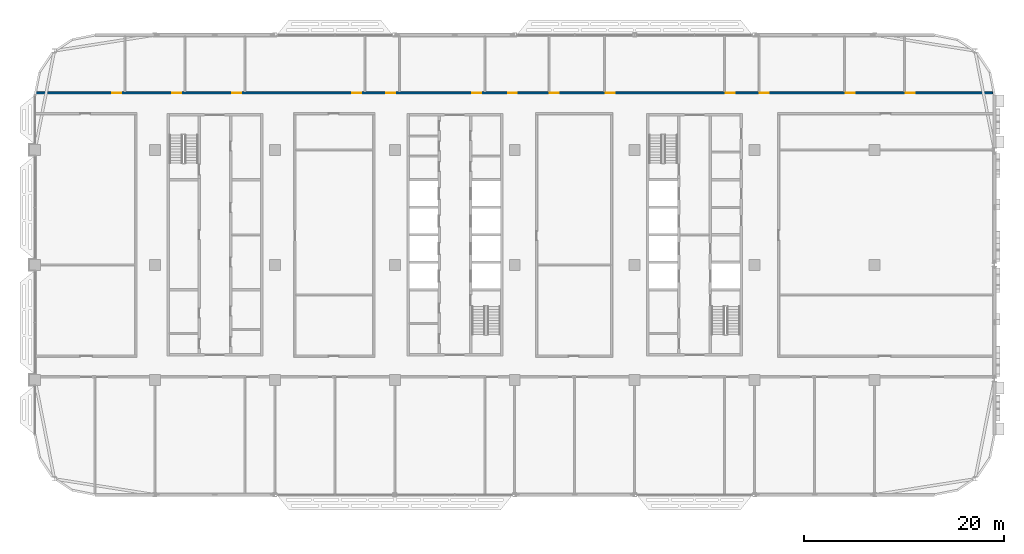
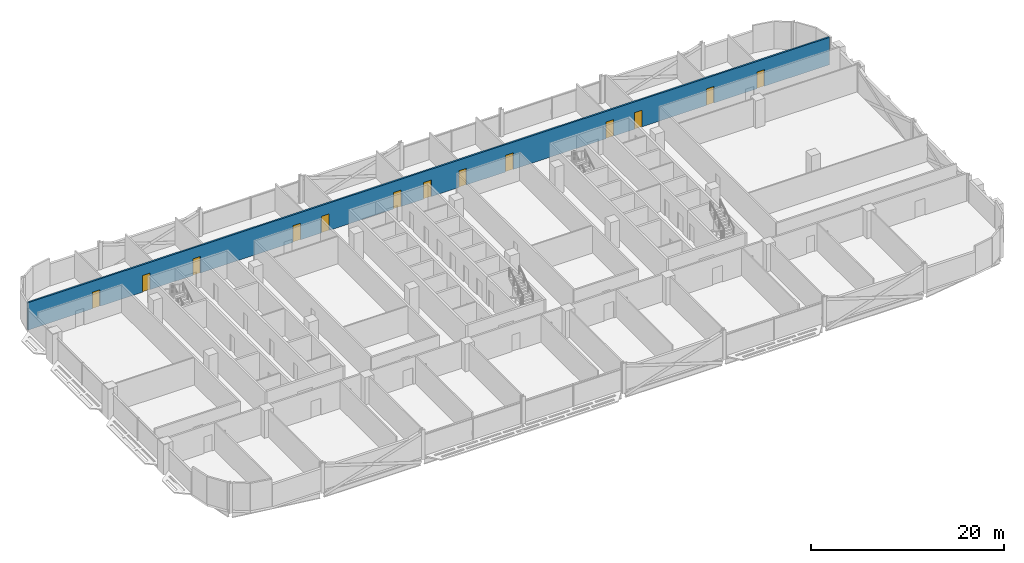
# One storey, part 16 of 30: 13 doors, 1 wall, 13 openings.
"""IFC4 building model written with IfcOpenShell, lengths in metres."""

from ifc_helpers import new_model, si_unit, direction, frame, frame_2d, origin, place, context, subcontext, project, spatial, rectangle, extrude, material, layer, layer_set, type_object, element, fill, save


model = new_model("IFC4")

# Units and contexts
model_context = context("Model", 3, precision=1e-05, world=origin(), true_north=direction((0.0, 1.0)))
body_context = subcontext(model_context, "Body", "Model", "MODEL_VIEW")
ifc_project = project(units=[si_unit("LENGTHUNIT", "METRE"), si_unit("AREAUNIT", "SQUARE_METRE"), si_unit("VOLUMEUNIT", "CUBIC_METRE"), si_unit("PLANEANGLEUNIT", "RADIAN"), si_unit("MASSUNIT", "GRAM", prefix="KILO")], contexts=[model_context])

# Site, building, storey
site_placement = place(None, origin())
site = spatial("IfcSite", under=ifc_project, at=site_placement, CompositionType="ELEMENT")
building_placement = place(site_placement, origin())
building = spatial("IfcBuilding", under=site, at=building_placement, Name="Mahtab Terrace Research Tower", CompositionType="ELEMENT")
storey_placement = place(building_placement, frame((0.0, 0.0, 205.300048828125)))
storey = spatial("IfcBuildingStorey", under=building, at=storey_placement, Name="L49", CompositionType="ELEMENT", Elevation=205.300048828125)

# Wall, openings, doors
ifc_material_1 = material(Name="Gypsum board corridor wall on steel studs", Category="steel")
ifc_layer = layer(ifc_material_1, 0.199951171875)
ifc_layer_set = layer_set([ifc_layer], Name="WALL CORRIDOR 200")
wall_type = type_object("IfcWallType", Name="WALL CORRIDOR 200", PredefinedType="PARTITIONING", material=ifc_layer_set)
wall_placement = place(storey_placement, frame((-41.97509765625, 17.199951171875, 0.0), z_axis=(0.0, 0.0, 1.0), x_axis=(1.0, 0.0, 0.0)))
wall = element("IfcWall", 1, at=wall_placement, inside=storey, type_object=wall_type, Name="L49-W024", PredefinedType="PARTITIONING", context=body_context, shape_type="SweptSolid", body=[
    extrude(rectangle(XDim=95.782470703125, YDim=0.199951171875, at=frame_2d((47.89111328125, 0.0))), origin(), (0.0, 0.0, 1.0), 3.4599609375),
])
opening_1_placement = place(wall_placement, frame((7.699951171875, 0.0, 0.0)))
opening_1 = element("IfcOpeningElement", 2, at=opening_1_placement, cuts=wall, Name="Opening L49-126", PredefinedType="OPENING", context=body_context, shape_type="SweptSolid", body=[
    extrude(rectangle(XDim=0.89990234375, YDim=2.10009765625, at=frame_2d((0.449951171875, 1.050048828125))), frame((0.0, 0.10986328125, 0.0), z_axis=(0.0, -1.0, 0.0), x_axis=(1.0, 0.0, 0.0)), (0.0, 0.0, 1.0), 0.219970703125),
])
opening_2_placement = place(wall_placement, frame((13.699951171875, 0.0, 0.0)))
opening_2 = element("IfcOpeningElement", 3, at=opening_2_placement, cuts=wall, Name="Opening L49-127", PredefinedType="OPENING", context=body_context, shape_type="SweptSolid", body=[
    extrude(rectangle(XDim=0.89990234375, YDim=2.10009765625, at=frame_2d((0.449951171875, 1.050048828125))), frame((0.0, 0.10986328125, 0.0), z_axis=(0.0, -1.0, 0.0), x_axis=(1.0, 0.0, 0.0)), (0.0, 0.0, 1.0), 0.219970703125),
])
opening_3_placement = place(wall_placement, frame((19.699951171875, 0.0, 0.0)))
opening_3 = element("IfcOpeningElement", 4, at=opening_3_placement, cuts=wall, Name="Opening L49-128", PredefinedType="OPENING", context=body_context, shape_type="SweptSolid", body=[
    extrude(rectangle(XDim=0.89990234375, YDim=2.10009765625, at=frame_2d((0.449951171875, 1.050048828125))), frame((0.0, 0.10986328125, 0.0), z_axis=(0.0, -1.0, 0.0), x_axis=(1.0, 0.0, 0.0)), (0.0, 0.0, 1.0), 0.219970703125),
])
opening_4_placement = place(wall_placement, frame((31.699951171875, 0.0, 0.0)))
opening_4 = element("IfcOpeningElement", 5, at=opening_4_placement, cuts=wall, Name="Opening L49-129", PredefinedType="OPENING", context=body_context, shape_type="SweptSolid", body=[
    extrude(rectangle(XDim=0.89990234375, YDim=2.10009765625, at=frame_2d((0.449951171875, 1.050048828125))), frame((0.0, 0.10986328125, 0.0), z_axis=(0.0, -1.0, 0.0), x_axis=(1.0, 0.0, 0.0)), (0.0, 0.0, 1.0), 0.219970703125),
])
opening_5_placement = place(wall_placement, frame((35.10009765625, 0.0, 0.0)))
opening_5 = element("IfcOpeningElement", 6, at=opening_5_placement, cuts=wall, Name="Opening L49-130", PredefinedType="OPENING", context=body_context, shape_type="SweptSolid", body=[
    extrude(rectangle(XDim=0.89990234375, YDim=2.10009765625, at=frame_2d((0.449951171875, 1.050048828125))), frame((0.0, 0.10986328125, 0.0), z_axis=(0.0, -1.0, 0.0), x_axis=(1.0, 0.0, 0.0)), (0.0, 0.0, 1.0), 0.219970703125),
])
opening_6_placement = place(wall_placement, frame((43.699951171875, 0.0, 0.0)))
opening_6 = element("IfcOpeningElement", 7, at=opening_6_placement, cuts=wall, Name="Opening L49-131", PredefinedType="OPENING", context=body_context, shape_type="SweptSolid", body=[
    extrude(rectangle(XDim=0.89990234375, YDim=2.10009765625, at=frame_2d((0.449951171875, 1.050048828125))), frame((0.0, 0.10986328125, 0.0), z_axis=(0.0, -1.0, 0.0), x_axis=(1.0, 0.0, 0.0)), (0.0, 0.0, 1.0), 0.219970703125),
])
opening_7_placement = place(wall_placement, frame((47.300048828125, 0.0, 0.0)))
opening_7 = element("IfcOpeningElement", 8, at=opening_7_placement, cuts=wall, Name="Opening L49-132", PredefinedType="OPENING", context=body_context, shape_type="SweptSolid", body=[
    extrude(rectangle(XDim=0.89990234375, YDim=2.10009765625, at=frame_2d((0.449951171875, 1.050048828125))), frame((0.0, 0.10986328125, 0.0), z_axis=(0.0, -1.0, 0.0), x_axis=(1.0, 0.0, 0.0)), (0.0, 0.0, 1.0), 0.219970703125),
])
opening_8_placement = place(wall_placement, frame((51.5, 0.0, 0.0)))
opening_8 = element("IfcOpeningElement", 9, at=opening_8_placement, cuts=wall, Name="Opening L49-133", PredefinedType="OPENING", context=body_context, shape_type="SweptSolid", body=[
    extrude(rectangle(XDim=0.89990234375, YDim=2.10009765625, at=frame_2d((0.449951171875, 1.050048828125))), frame((0.0, 0.10986328125, 0.0), z_axis=(0.0, -1.0, 0.0), x_axis=(1.0, 0.0, 0.0)), (0.0, 0.0, 1.0), 0.219970703125),
])
opening_9_placement = place(wall_placement, frame((57.10009765625, 0.0, 0.0)))
opening_9 = element("IfcOpeningElement", 10, at=opening_9_placement, cuts=wall, Name="Opening L49-134", PredefinedType="OPENING", context=body_context, shape_type="SweptSolid", body=[
    extrude(rectangle(XDim=0.89990234375, YDim=2.10009765625, at=frame_2d((0.449951171875, 1.050048828125))), frame((0.0, 0.10986328125, 0.0), z_axis=(0.0, -1.0, 0.0), x_axis=(1.0, 0.0, 0.0)), (0.0, 0.0, 1.0), 0.219970703125),
])
opening_10_placement = place(wall_placement, frame((69.10009765625, 0.0, 0.0)))
opening_10 = element("IfcOpeningElement", 11, at=opening_10_placement, cuts=wall, Name="Opening L49-135", PredefinedType="OPENING", context=body_context, shape_type="SweptSolid", body=[
    extrude(rectangle(XDim=0.89990234375, YDim=2.10009765625, at=frame_2d((0.449951171875, 1.050048828125))), frame((0.0, 0.10986328125, 0.0), z_axis=(0.0, -1.0, 0.0), x_axis=(1.0, 0.0, 0.0)), (0.0, 0.0, 1.0), 0.219970703125),
])
opening_11_placement = place(wall_placement, frame((72.5, 0.0, 0.0)))
opening_11 = element("IfcOpeningElement", 12, at=opening_11_placement, cuts=wall, Name="Opening L49-136", PredefinedType="OPENING", context=body_context, shape_type="SweptSolid", body=[
    extrude(rectangle(XDim=0.89990234375, YDim=2.10009765625, at=frame_2d((0.449951171875, 1.050048828125))), frame((0.0, 0.10986328125, 0.0), z_axis=(0.0, -1.0, 0.0), x_axis=(1.0, 0.0, 0.0)), (0.0, 0.0, 1.0), 0.219970703125),
])
opening_12_placement = place(wall_placement, frame((81.10009765625, 0.0, 0.0)))
opening_12 = element("IfcOpeningElement", 13, at=opening_12_placement, cuts=wall, Name="Opening L49-137", PredefinedType="OPENING", context=body_context, shape_type="SweptSolid", body=[
    extrude(rectangle(XDim=0.89990234375, YDim=2.10009765625, at=frame_2d((0.449951171875, 1.050048828125))), frame((0.0, 0.10986328125, 0.0), z_axis=(0.0, -1.0, 0.0), x_axis=(1.0, 0.0, 0.0)), (0.0, 0.0, 1.0), 0.219970703125),
])
opening_13_placement = place(wall_placement, frame((87.10009765625, 0.0, 0.0)))
opening_13 = element("IfcOpeningElement", 14, at=opening_13_placement, cuts=wall, Name="Opening L49-138", PredefinedType="OPENING", context=body_context, shape_type="SweptSolid", body=[
    extrude(rectangle(XDim=0.89990234375, YDim=2.10009765625, at=frame_2d((0.449951171875, 1.050048828125))), frame((0.0, 0.10986328125, 0.0), z_axis=(0.0, -1.0, 0.0), x_axis=(1.0, 0.0, 0.0)), (0.0, 0.0, 1.0), 0.219970703125),
])
ifc_material_2 = material(Name="Timber door leaf in steel frame", Category="steel")
door_type = type_object("IfcDoorType", Name="DOOR 0900X2100 FD30S", OperationType="SINGLE_SWING_LEFT", PredefinedType="DOOR", material=ifc_material_2)
door_1_placement = place(opening_1_placement, origin())
door_1 = element("IfcDoor", 15, at=door_1_placement, inside=storey, type_object=door_type, Name="Door L49-126", OperationType="SINGLE_SWING_LEFT", OverallHeight=2.10009765625, OverallWidth=0.89990234375, PredefinedType="DOOR", context=body_context, shape_type="SweptSolid", body=[
    extrude(rectangle(XDim=0.89990234375, YDim=2.10009765625, at=frame_2d((0.449951171875, 1.050048828125))), frame((0.0, 0.02490234375, 0.0), z_axis=(0.0, -1.0, 0.0), x_axis=(1.0, 0.0, 0.0)), (0.0, 0.0, 1.0), 0.050048828125),
])
fill(opening_1, door_1)
door_2_placement = place(opening_2_placement, origin())
door_2 = element("IfcDoor", 16, at=door_2_placement, inside=storey, type_object=door_type, Name="Door L49-127", OperationType="SINGLE_SWING_LEFT", OverallHeight=2.10009765625, OverallWidth=0.89990234375, PredefinedType="DOOR", context=body_context, shape_type="SweptSolid", body=[
    extrude(rectangle(XDim=0.89990234375, YDim=2.10009765625, at=frame_2d((0.449951171875, 1.050048828125))), frame((0.0, 0.02490234375, 0.0), z_axis=(0.0, -1.0, 0.0), x_axis=(1.0, 0.0, 0.0)), (0.0, 0.0, 1.0), 0.050048828125),
])
fill(opening_2, door_2)
door_3_placement = place(opening_3_placement, origin())
door_3 = element("IfcDoor", 17, at=door_3_placement, inside=storey, type_object=door_type, Name="Door L49-128", OperationType="SINGLE_SWING_LEFT", OverallHeight=2.10009765625, OverallWidth=0.89990234375, PredefinedType="DOOR", context=body_context, shape_type="SweptSolid", body=[
    extrude(rectangle(XDim=0.89990234375, YDim=2.10009765625, at=frame_2d((0.449951171875, 1.050048828125))), frame((0.0, 0.02490234375, 0.0), z_axis=(0.0, -1.0, 0.0), x_axis=(1.0, 0.0, 0.0)), (0.0, 0.0, 1.0), 0.050048828125),
])
fill(opening_3, door_3)
door_4_placement = place(opening_4_placement, origin())
door_4 = element("IfcDoor", 18, at=door_4_placement, inside=storey, type_object=door_type, Name="Door L49-129", OperationType="SINGLE_SWING_LEFT", OverallHeight=2.10009765625, OverallWidth=0.89990234375, PredefinedType="DOOR", context=body_context, shape_type="SweptSolid", body=[
    extrude(rectangle(XDim=0.89990234375, YDim=2.10009765625, at=frame_2d((0.449951171875, 1.050048828125))), frame((0.0, 0.02490234375, 0.0), z_axis=(0.0, -1.0, 0.0), x_axis=(1.0, 0.0, 0.0)), (0.0, 0.0, 1.0), 0.050048828125),
])
fill(opening_4, door_4)
door_5_placement = place(opening_5_placement, origin())
door_5 = element("IfcDoor", 19, at=door_5_placement, inside=storey, type_object=door_type, Name="Door L49-130", OperationType="SINGLE_SWING_LEFT", OverallHeight=2.10009765625, OverallWidth=0.89990234375, PredefinedType="DOOR", context=body_context, shape_type="SweptSolid", body=[
    extrude(rectangle(XDim=0.89990234375, YDim=2.10009765625, at=frame_2d((0.449951171875, 1.050048828125))), frame((0.0, 0.02490234375, 0.0), z_axis=(0.0, -1.0, 0.0), x_axis=(1.0, 0.0, 0.0)), (0.0, 0.0, 1.0), 0.050048828125),
])
fill(opening_5, door_5)
door_6_placement = place(opening_6_placement, origin())
door_6 = element("IfcDoor", 20, at=door_6_placement, inside=storey, type_object=door_type, Name="Door L49-131", OperationType="SINGLE_SWING_LEFT", OverallHeight=2.10009765625, OverallWidth=0.89990234375, PredefinedType="DOOR", context=body_context, shape_type="SweptSolid", body=[
    extrude(rectangle(XDim=0.89990234375, YDim=2.10009765625, at=frame_2d((0.449951171875, 1.050048828125))), frame((0.0, 0.02490234375, 0.0), z_axis=(0.0, -1.0, 0.0), x_axis=(1.0, 0.0, 0.0)), (0.0, 0.0, 1.0), 0.050048828125),
])
fill(opening_6, door_6)
door_7_placement = place(opening_7_placement, origin())
door_7 = element("IfcDoor", 21, at=door_7_placement, inside=storey, type_object=door_type, Name="Door L49-132", OperationType="SINGLE_SWING_LEFT", OverallHeight=2.10009765625, OverallWidth=0.89990234375, PredefinedType="DOOR", context=body_context, shape_type="SweptSolid", body=[
    extrude(rectangle(XDim=0.89990234375, YDim=2.10009765625, at=frame_2d((0.449951171875, 1.050048828125))), frame((0.0, 0.02490234375, 0.0), z_axis=(0.0, -1.0, 0.0), x_axis=(1.0, 0.0, 0.0)), (0.0, 0.0, 1.0), 0.050048828125),
])
fill(opening_7, door_7)
door_8_placement = place(opening_8_placement, origin())
door_8 = element("IfcDoor", 22, at=door_8_placement, inside=storey, type_object=door_type, Name="Door L49-133", OperationType="SINGLE_SWING_RIGHT", OverallHeight=2.10009765625, OverallWidth=0.89990234375, PredefinedType="DOOR", context=body_context, shape_type="SweptSolid", body=[
    extrude(rectangle(XDim=0.89990234375, YDim=2.10009765625, at=frame_2d((0.449951171875, 1.050048828125))), frame((0.0, 0.02490234375, 0.0), z_axis=(0.0, -1.0, 0.0), x_axis=(1.0, 0.0, 0.0)), (0.0, 0.0, 1.0), 0.050048828125),
])
fill(opening_8, door_8)
door_9_placement = place(opening_9_placement, origin())
door_9 = element("IfcDoor", 23, at=door_9_placement, inside=storey, type_object=door_type, Name="Door L49-134", OperationType="SINGLE_SWING_RIGHT", OverallHeight=2.10009765625, OverallWidth=0.89990234375, PredefinedType="DOOR", context=body_context, shape_type="SweptSolid", body=[
    extrude(rectangle(XDim=0.89990234375, YDim=2.10009765625, at=frame_2d((0.449951171875, 1.050048828125))), frame((0.0, 0.02490234375, 0.0), z_axis=(0.0, -1.0, 0.0), x_axis=(1.0, 0.0, 0.0)), (0.0, 0.0, 1.0), 0.050048828125),
])
fill(opening_9, door_9)
door_10_placement = place(opening_10_placement, origin())
door_10 = element("IfcDoor", 24, at=door_10_placement, inside=storey, type_object=door_type, Name="Door L49-135", OperationType="SINGLE_SWING_RIGHT", OverallHeight=2.10009765625, OverallWidth=0.89990234375, PredefinedType="DOOR", context=body_context, shape_type="SweptSolid", body=[
    extrude(rectangle(XDim=0.89990234375, YDim=2.10009765625, at=frame_2d((0.449951171875, 1.050048828125))), frame((0.0, 0.02490234375, 0.0), z_axis=(0.0, -1.0, 0.0), x_axis=(1.0, 0.0, 0.0)), (0.0, 0.0, 1.0), 0.050048828125),
])
fill(opening_10, door_10)
door_11_placement = place(opening_11_placement, origin())
door_11 = element("IfcDoor", 25, at=door_11_placement, inside=storey, type_object=door_type, Name="Door L49-136", OperationType="SINGLE_SWING_RIGHT", OverallHeight=2.10009765625, OverallWidth=0.89990234375, PredefinedType="DOOR", context=body_context, shape_type="SweptSolid", body=[
    extrude(rectangle(XDim=0.89990234375, YDim=2.10009765625, at=frame_2d((0.449951171875, 1.050048828125))), frame((0.0, 0.02490234375, 0.0), z_axis=(0.0, -1.0, 0.0), x_axis=(1.0, 0.0, 0.0)), (0.0, 0.0, 1.0), 0.050048828125),
])
fill(opening_11, door_11)
door_12_placement = place(opening_12_placement, origin())
door_12 = element("IfcDoor", 26, at=door_12_placement, inside=storey, type_object=door_type, Name="Door L49-137", OperationType="SINGLE_SWING_RIGHT", OverallHeight=2.10009765625, OverallWidth=0.89990234375, PredefinedType="DOOR", context=body_context, shape_type="SweptSolid", body=[
    extrude(rectangle(XDim=0.89990234375, YDim=2.10009765625, at=frame_2d((0.449951171875, 1.050048828125))), frame((0.0, 0.02490234375, 0.0), z_axis=(0.0, -1.0, 0.0), x_axis=(1.0, 0.0, 0.0)), (0.0, 0.0, 1.0), 0.050048828125),
])
fill(opening_12, door_12)
door_13_placement = place(opening_13_placement, origin())
door_13 = element("IfcDoor", 27, at=door_13_placement, inside=storey, type_object=door_type, Name="Door L49-138", OperationType="SINGLE_SWING_RIGHT", OverallHeight=2.10009765625, OverallWidth=0.89990234375, PredefinedType="DOOR", context=body_context, shape_type="SweptSolid", body=[
    extrude(rectangle(XDim=0.89990234375, YDim=2.10009765625, at=frame_2d((0.449951171875, 1.050048828125))), frame((0.0, 0.02490234375, 0.0), z_axis=(0.0, -1.0, 0.0), x_axis=(1.0, 0.0, 0.0)), (0.0, 0.0, 1.0), 0.050048828125),
])
fill(opening_13, door_13)

save(model, "model.ifc")
